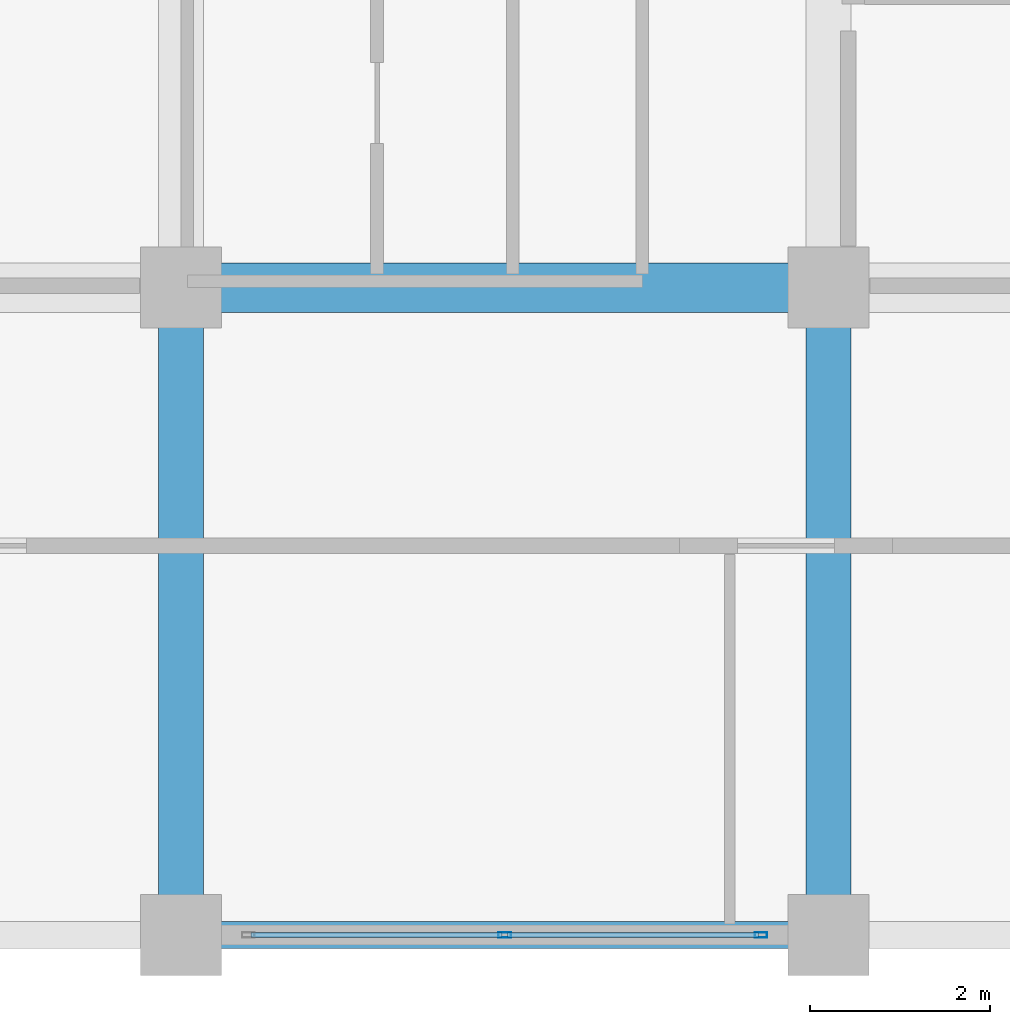
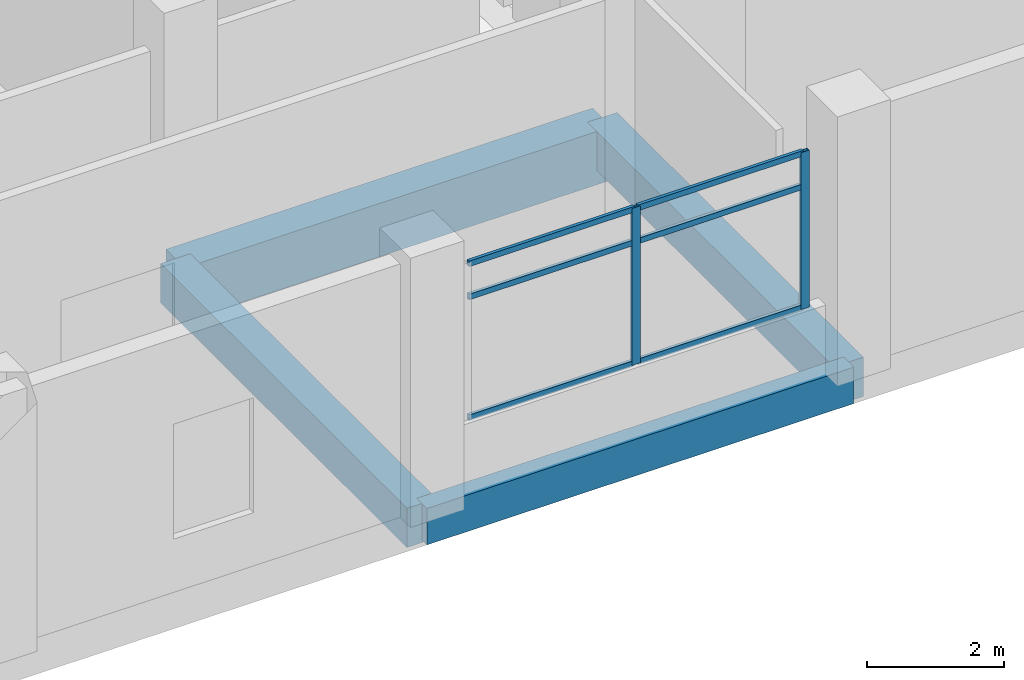
# One storey, part 32 of 181: 8 members, 4 beams, 1 element without a shape of its own.
"""IFC4 building model written with IfcOpenShell, lengths in metres."""

from ifc_helpers import new_model, si_unit, direction, frame, origin, origin_2d, place, context, subcontext, project, spatial, rectangle, hollow_rectangle, extrude, material, layer, layer_set, material_profile, profile_set, type_object, element, aggregate, save


model = new_model("IFC4")

# Units and contexts
model_context = context("Model", 3, precision=1e-05, world=origin(), true_north=direction((0.0, 1.0)))
body_context = subcontext(model_context, "Body", "Model", "MODEL_VIEW")
ifc_project = project(units=[si_unit("LENGTHUNIT", "METRE"), si_unit("AREAUNIT", "SQUARE_METRE"), si_unit("VOLUMEUNIT", "CUBIC_METRE"), si_unit("PLANEANGLEUNIT", "RADIAN"), si_unit("MASSUNIT", "GRAM", prefix="KILO")], contexts=[model_context])

# Site, building, storey
site_placement = place(None, origin())
site = spatial("IfcSite", under=ifc_project, at=site_placement, CompositionType="ELEMENT")
building_placement = place(site_placement, origin())
building = spatial("IfcBuilding", under=site, at=building_placement, Name="Seraya Terrace Polytechnic", CompositionType="ELEMENT")
storey_placement = place(building_placement, frame((0.0, 0.0, 4.800048828125)))
storey = spatial("IfcBuildingStorey", under=building, at=storey_placement, Name="L01", CompositionType="ELEMENT", Elevation=4.800048828125)

# Beams
ifc_material_1 = material(Name="Concrete C40/50", Category="concrete")
ifc_material_profile_1 = material_profile(ifc_material_1, rectangle(XDim=0.550048828125, YDim=0.949951171875, at=origin_2d()), Name="RC 550x950")
ifc_profile_set_1 = profile_set([ifc_material_profile_1], Name="Concrete C40/50")
beam_type_1 = type_object("IfcBeamType", Name="BM-03", PredefinedType="BEAM", material=ifc_profile_set_1)
beam_1_placement = place(storey_placement, frame((72.0, 7.199951171875, -0.47509765625), z_axis=(1.0, 0.0, 0.0), x_axis=(0.0, 1.0, 0.0)))
element("IfcBeam", 1, at=beam_1_placement, inside=storey, type_object=beam_type_1, Name="Beam BM-03 L01 X (72.0..79.2, 7.2)", PredefinedType="BEAM", context=body_context, shape_type="SweptSolid", body=[
    extrude(rectangle(XDim=0.550048828125, YDim=0.949951171875, at=origin_2d()), origin(), (0.0, 0.0, 1.0), 7.199951171875),
])
ifc_material_profile_2 = material_profile(ifc_material_1, rectangle(XDim=0.5, YDim=0.699951171875, at=origin_2d()), Name="RC 500x700")
ifc_profile_set_2 = profile_set([ifc_material_profile_2], Name="Concrete C40/50")
beam_type_2 = type_object("IfcBeamType", Name="BM-07", PredefinedType="BEAM", material=ifc_profile_set_2)
for number, where, z_axis, x_axis, name in (
    (2, (72.0, 0.0, -0.35009765625), (0.0, 1.0, 0.0), (-1.0, 0.0, 0.0), "Beam BM-07 L01 Y (72.0, 0.0..7.2)"),
    (3, (79.199951171875, 0.0, -0.35009765625), (0.0, 1.0, 0.0), (-1.0, 0.0, 0.0), "Beam BM-07 L01 Y (79.2, 0.0..7.2)"),
):
    element("IfcBeam", number, at=place(storey_placement, frame(where, z_axis=z_axis, x_axis=x_axis)), inside=storey, type_object=beam_type_2, Name=name, PredefinedType="BEAM", context=body_context, shape_type="SweptSolid", body=[
        extrude(rectangle(XDim=0.5, YDim=0.699951171875, at=origin_2d()), origin(), (0.0, 0.0, 1.0), 7.199951171875),
    ])

# Curtain wall, members
ifc_material_2 = material(Name="Anodised aluminium EN AW-6063 T6", Category="aluminium")
ifc_layer = layer(ifc_material_2, 0.179931640625, Name="CW-33")
ifc_layer_set = layer_set([ifc_layer], Name="Anodised aluminium EN AW-6063 T6")
curtain_wall_type = type_object("IfcCurtainWallType", Name="CW-33", PredefinedType="NOTDEFINED", material=ifc_layer_set)
curtain_wall_placement = place(storey_placement, origin())
curtain_wall = element("IfcCurtainWall", 4, at=curtain_wall_placement, inside=storey, type_object=curtain_wall_type, Name="Unitised curtain wall CW-33 (CW-L01-033)", PredefinedType="NOTDEFINED")
ifc_material_profile_3 = material_profile(ifc_material_2, hollow_rectangle(XDim=0.06005859375, YDim=0.139892578125, WallThickness=0.00341796875, at=origin_2d()), Name="RHS 140x60x3.5")
ifc_profile_set_3 = profile_set([ifc_material_profile_3], Name="Anodised aluminium EN AW-6063 T6")
member_type_1 = type_object("IfcMemberType", Name="CWM-03", PredefinedType="MULLION", material=ifc_profile_set_3)
member_1_placement = place(storey_placement, frame((78.449951171875, 0.0, 1.239990234375), z_axis=(0.0, 0.0, 1.0), x_axis=(0.0, -1.0, 0.0)))
member_1 = element("IfcMember", 5, at=member_1_placement, type_object=member_type_1, Name="CW-33 mullion 1", PredefinedType="MULLION", context=body_context, shape_type="SweptSolid", body=[
    extrude(hollow_rectangle(XDim=0.06005859375, YDim=0.139892578125, WallThickness=0.00341796875, at=origin_2d()), origin(), (0.0, 0.0, 1.0), 2.800048828125),
])
member_2_placement = place(storey_placement, frame((75.60009765625, 0.0, 1.239990234375), z_axis=(0.0, 0.0, 1.0), x_axis=(0.0, -1.0, 0.0)))
member_2 = element("IfcMember", 6, at=member_2_placement, type_object=member_type_1, Name="CW-33 mullion 2", PredefinedType="MULLION", context=body_context, shape_type="SweptSolid", body=[
    extrude(hollow_rectangle(XDim=0.06005859375, YDim=0.139892578125, WallThickness=0.00341796875, at=origin_2d()), origin(), (0.0, 0.0, 1.0), 2.800048828125),
])
ifc_material_profile_4 = material_profile(ifc_material_2, hollow_rectangle(XDim=0.054931640625, YDim=0.10009765625, WallThickness=0.0029296875, at=origin_2d()), Name="RHS 100x55x3.0")
ifc_profile_set_4 = profile_set([ifc_material_profile_4], Name="Anodised aluminium EN AW-6063 T6")
member_type_2 = type_object("IfcMemberType", Name="CWT-03", PredefinedType="USERDEFINED", material=ifc_profile_set_4)
member_3_placement = place(storey_placement, frame((78.419921875, 0.0, 1.267333984375), z_axis=(-1.0, 0.0, 0.0), x_axis=(0.0, -1.0, 0.0)))
member_3 = element("IfcMember", 7, at=member_3_placement, type_object=member_type_2, Name="CW-33 transom 1.1", ObjectType="TRANSOM", PredefinedType="USERDEFINED", context=body_context, shape_type="SweptSolid", body=[
    extrude(hollow_rectangle(XDim=0.054931640625, YDim=0.10009765625, WallThickness=0.0029296875, at=origin_2d()), origin(), (0.0, 0.0, 1.0), 2.7900390625),
])
member_4_placement = place(storey_placement, frame((78.419921875, 0.0, 3.419921875), z_axis=(-1.0, 0.0, 0.0), x_axis=(0.0, -1.0, 0.0)))
member_4 = element("IfcMember", 8, at=member_4_placement, type_object=member_type_2, Name="CW-33 transom 1.2", ObjectType="TRANSOM", PredefinedType="USERDEFINED", context=body_context, shape_type="SweptSolid", body=[
    extrude(hollow_rectangle(XDim=0.054931640625, YDim=0.10009765625, WallThickness=0.0029296875, at=origin_2d()), origin(), (0.0, 0.0, 1.0), 2.7900390625),
])
member_5_placement = place(storey_placement, frame((78.419921875, 0.0, 4.012451171875), z_axis=(-1.0, 0.0, 0.0), x_axis=(0.0, -1.0, 0.0)))
member_5 = element("IfcMember", 9, at=member_5_placement, type_object=member_type_2, Name="CW-33 transom 1.3", ObjectType="TRANSOM", PredefinedType="USERDEFINED", context=body_context, shape_type="SweptSolid", body=[
    extrude(hollow_rectangle(XDim=0.054931640625, YDim=0.10009765625, WallThickness=0.0029296875, at=origin_2d()), origin(), (0.0, 0.0, 1.0), 2.7900390625),
])
member_6_placement = place(storey_placement, frame((75.570068359375, 0.0, 1.267333984375), z_axis=(-1.0, 0.0, 0.0), x_axis=(0.0, -1.0, 0.0)))
member_6 = element("IfcMember", 10, at=member_6_placement, type_object=member_type_2, Name="CW-33 transom 2.1", ObjectType="TRANSOM", PredefinedType="USERDEFINED", context=body_context, shape_type="SweptSolid", body=[
    extrude(hollow_rectangle(XDim=0.054931640625, YDim=0.10009765625, WallThickness=0.0029296875, at=origin_2d()), origin(), (0.0, 0.0, 1.0), 2.7900390625),
])
member_7_placement = place(storey_placement, frame((75.570068359375, 0.0, 3.419921875), z_axis=(-1.0, 0.0, 0.0), x_axis=(0.0, -1.0, 0.0)))
member_7 = element("IfcMember", 11, at=member_7_placement, type_object=member_type_2, Name="CW-33 transom 2.2", ObjectType="TRANSOM", PredefinedType="USERDEFINED", context=body_context, shape_type="SweptSolid", body=[
    extrude(hollow_rectangle(XDim=0.054931640625, YDim=0.10009765625, WallThickness=0.0029296875, at=origin_2d()), origin(), (0.0, 0.0, 1.0), 2.7900390625),
])
member_8_placement = place(storey_placement, frame((75.570068359375, 0.0, 4.012451171875), z_axis=(-1.0, 0.0, 0.0), x_axis=(0.0, -1.0, 0.0)))
member_8 = element("IfcMember", 12, at=member_8_placement, type_object=member_type_2, Name="CW-33 transom 2.3", ObjectType="TRANSOM", PredefinedType="USERDEFINED", context=body_context, shape_type="SweptSolid", body=[
    extrude(hollow_rectangle(XDim=0.054931640625, YDim=0.10009765625, WallThickness=0.0029296875, at=origin_2d()), origin(), (0.0, 0.0, 1.0), 2.7900390625),
])
aggregate(curtain_wall, [member_1, member_2, member_3, member_4, member_5, member_6, member_7, member_8])

# Beam
ifc_material_profile_5 = material_profile(ifc_material_1, rectangle(XDim=0.300048828125, YDim=0.64990234375, at=origin_2d()), Name="RC 300x650")
ifc_profile_set_5 = profile_set([ifc_material_profile_5], Name="Concrete C40/50")
beam_type_3 = type_object("IfcBeamType", Name="SP-01", PredefinedType="SPANDREL", material=ifc_profile_set_5)
beam_2_placement = place(storey_placement, frame((72.0, 0.0, -0.324951171875), z_axis=(1.0, 0.0, 0.0), x_axis=(0.0, 1.0, 0.0)))
element("IfcBeam", 13, at=beam_2_placement, inside=storey, type_object=beam_type_3, Name="Beam SP-01 L01 X (72.0..79.2, 0.0)", PredefinedType="SPANDREL", context=body_context, shape_type="SweptSolid", body=[
    extrude(rectangle(XDim=0.300048828125, YDim=0.64990234375, at=origin_2d()), origin(), (0.0, 0.0, 1.0), 7.199951171875),
])

save(model, "model.ifc")
